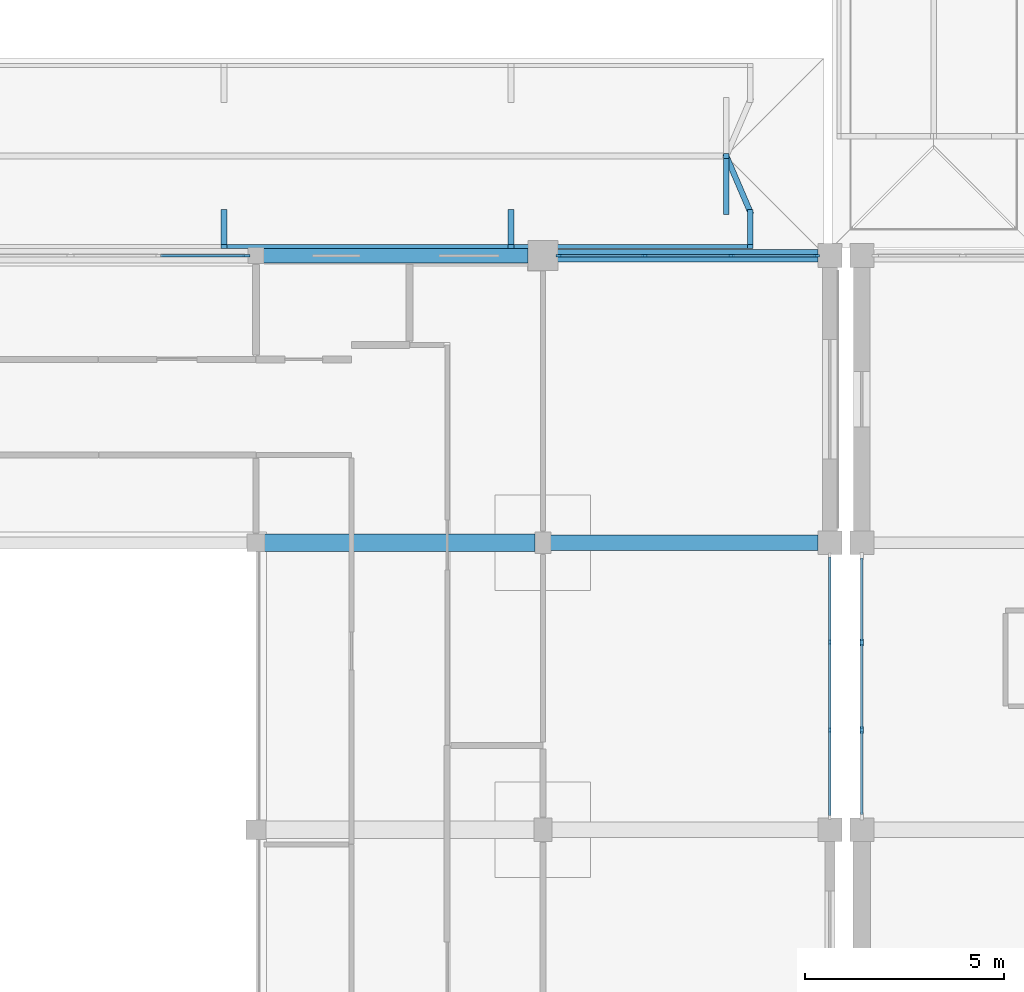
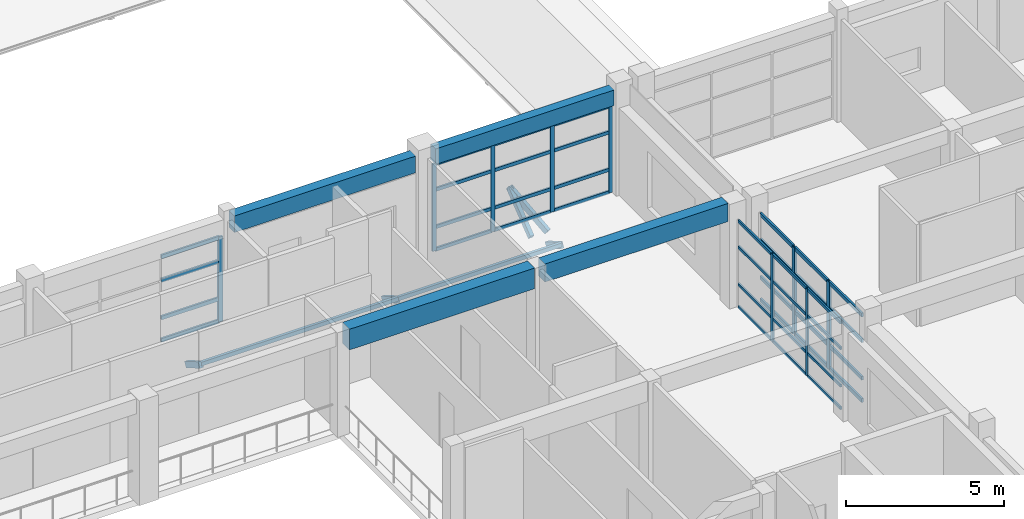
# One storey, part 20 of 110: 56 members, 4 beams, 4 elements without a shape of their own.
"""IFC4 building model written with IfcOpenShell, lengths in metres."""

from ifc_helpers import new_model, si_unit, direction, frame, origin, origin_2d, place, context, subcontext, project, spatial, rectangle, hollow_rectangle, extrude, material, material_profile, profile_set, type_object, element, aggregate, save


model = new_model("IFC4")

# Units and contexts
model_context = context("Model", 3, precision=1e-05, world=origin(), true_north=direction((0.0, 1.0)))
body_context = subcontext(model_context, "Body", "Model", "MODEL_VIEW")
ifc_project = project(units=[si_unit("LENGTHUNIT", "METRE"), si_unit("AREAUNIT", "SQUARE_METRE"), si_unit("VOLUMEUNIT", "CUBIC_METRE"), si_unit("PLANEANGLEUNIT", "RADIAN"), si_unit("MASSUNIT", "GRAM", prefix="KILO")], contexts=[model_context])

# Site, building, storey
site_placement = place(None, origin())
site = spatial("IfcSite", under=ifc_project, at=site_placement, CompositionType="ELEMENT")
building_placement = place(site_placement, origin())
building = spatial("IfcBuilding", under=site, at=building_placement, Name="Steenspoor Specialist Clinic", CompositionType="ELEMENT")
storey_placement = place(building_placement, frame((0.0, 0.0, 4.800048828125)))
storey = spatial("IfcBuildingStorey", under=building, at=storey_placement, Name="L01", CompositionType="ELEMENT", Elevation=4.800048828125)

# Beams
ifc_material_1 = material(Name="Concrete C35/45", Category="concrete")
ifc_material_profile_1 = material_profile(ifc_material_1, rectangle(XDim=0.39990234375, YDim=0.699951171875, at=origin_2d()), Name="RC-BM-400X700")
ifc_profile_set_1 = profile_set([ifc_material_profile_1], Name="Concrete C35/45")
beam_type_1 = type_object("IfcBeamType", Name="BM-RC-400X700", PredefinedType="BEAM", material=ifc_profile_set_1)
beam_1_placement = place(storey_placement, frame((110.195068359375, 34.64990234375, 3.68505859375), z_axis=(1.0, 0.0, 0.0), x_axis=(0.0, 1.0, 0.0)))
element("IfcBeam", 1, at=beam_1_placement, inside=storey, type_object=beam_type_1, Name="BM-V1-L01-X0143", PredefinedType="BEAM", context=body_context, shape_type="SweptSolid", body=[
    extrude(rectangle(XDim=0.39990234375, YDim=0.699951171875, at=origin_2d()), origin(), (0.0, 0.0, 1.0), 6.7099609375),
])
ifc_material_profile_2 = material_profile(ifc_material_1, rectangle(XDim=0.449951171875, YDim=0.800048828125, at=origin_2d()), Name="RC-BM-450X800")
ifc_profile_set_2 = profile_set([ifc_material_profile_2], Name="Concrete C35/45")
beam_type_2 = type_object("IfcBeamType", Name="BM-RC-450X800", PredefinedType="BEAM", material=ifc_profile_set_2)
beam_2_placement = place(storey_placement, frame((103.02001953125, 34.64990234375, 3.635009765625), z_axis=(1.0, 0.0, 0.0), x_axis=(0.0, 1.0, 0.0)))
element("IfcBeam", 2, at=beam_2_placement, inside=storey, type_object=beam_type_2, Name="BM-V1-L01-X0142", PredefinedType="BEAM", context=body_context, shape_type="SweptSolid", body=[
    extrude(rectangle(XDim=0.449951171875, YDim=0.800048828125, at=origin_2d()), origin(), (0.0, 0.0, 1.0), 6.784912109375),
])

# Curtain wall, members
ifc_material_2 = material(Name="Thermally broken aluminium and low-emissivity glass", Category="aluminium")
curtain_wall_type_1 = type_object("IfcCurtainWallType", Name="CW-L00-660X415", PredefinedType="USERDEFINED", material=ifc_material_2)
curtain_wall_1_placement = place(storey_placement, origin())
curtain_wall_1 = element("IfcCurtainWall", 3, at=curtain_wall_1_placement, inside=storey, type_object=curtain_wall_type_1, Name="Unitised Curtain Wall CW-V1-L01-028", ObjectType="UNITISED GLAZING", PredefinedType="USERDEFINED")
ifc_material_3 = material(Name="Thermally broken aluminium 6063-T6", Category="aluminium")
ifc_material_profile_3 = material_profile(ifc_material_3, rectangle(XDim=0.06005859375, YDim=0.135009765625, at=origin_2d()), Name="CWM-60X135")
ifc_profile_set_3 = profile_set([ifc_material_profile_3], Name="Thermally broken aluminium 6063-T6")
member_type_1 = type_object("IfcMemberType", Name="CW-MULL-60X135", PredefinedType="MULLION", material=ifc_profile_set_3)
member_1_placement = place(storey_placement, frame((117.199951171875, 32.14990234375, 0.0), z_axis=(0.0, 0.0, 1.0), x_axis=(1.0, 0.0, 0.0)))
member_1 = element("IfcMember", 4, at=member_1_placement, type_object=member_type_1, Name="CW-04 mullion 2", PredefinedType="MULLION", context=body_context, shape_type="SweptSolid", body=[
    extrude(rectangle(XDim=0.06005859375, YDim=0.135009765625, at=origin_2d()), origin(), (0.0, 0.0, 1.0), 3.3798828125),
])
member_2_placement = place(storey_placement, frame((117.199951171875, 29.949951171875, 0.0), z_axis=(0.0, 0.0, 1.0), x_axis=(1.0, 0.0, 0.0)))
member_2 = element("IfcMember", 5, at=member_2_placement, type_object=member_type_1, Name="CW-04 mullion 3", PredefinedType="MULLION", context=body_context, shape_type="SweptSolid", body=[
    extrude(rectangle(XDim=0.06005859375, YDim=0.135009765625, at=origin_2d()), origin(), (0.0, 0.0, 1.0), 3.3798828125),
])

curtain_wall_type_2 = type_object("IfcCurtainWallType", Name="CW-HALL-480X820", PredefinedType="USERDEFINED", material=ifc_material_2)
curtain_wall_2_placement = place(storey_placement, origin())
curtain_wall_2 = element("IfcCurtainWall", 6, at=curtain_wall_2_placement, inside=storey, type_object=curtain_wall_type_2, Name="Unitised Curtain Wall CW-V1-L01-027", ObjectType="UNITISED GLAZING", PredefinedType="USERDEFINED")
ifc_material_profile_4 = material_profile(ifc_material_3, rectangle(XDim=0.06494140625, YDim=0.14990234375, at=origin_2d()), Name="CWM-65X150")
ifc_profile_set_4 = profile_set([ifc_material_profile_4], Name="Thermally broken aluminium 6063-T6")
member_type_2 = type_object("IfcMemberType", Name="CW-MULL-65X150", PredefinedType="MULLION", material=ifc_profile_set_4)
member_3_placement = place(storey_placement, frame((110.407470703125, 41.85009765625, 0.0), z_axis=(0.0, 0.0, 1.0), x_axis=(0.0, 1.0, 0.0)))
member_3 = element("IfcMember", 7, at=member_3_placement, type_object=member_type_2, Name="CW-03 mullion 1", PredefinedType="MULLION", context=body_context, shape_type="SweptSolid", body=[
    extrude(rectangle(XDim=0.06494140625, YDim=0.14990234375, at=origin_2d()), origin(), (0.0, 0.0, 1.0), 3.3798828125),
])
member_4_placement = place(storey_placement, frame((112.550048828125, 41.85009765625, 0.0), z_axis=(0.0, 0.0, 1.0), x_axis=(0.0, 1.0, 0.0)))
member_4 = element("IfcMember", 8, at=member_4_placement, type_object=member_type_2, Name="CW-03 mullion 2", PredefinedType="MULLION", context=body_context, shape_type="SweptSolid", body=[
    extrude(rectangle(XDim=0.06494140625, YDim=0.14990234375, at=origin_2d()), origin(), (0.0, 0.0, 1.0), 3.3798828125),
])
member_5_placement = place(storey_placement, frame((114.72509765625, 41.85009765625, 0.0), z_axis=(0.0, 0.0, 1.0), x_axis=(0.0, 1.0, 0.0)))
member_5 = element("IfcMember", 9, at=member_5_placement, type_object=member_type_2, Name="CW-03 mullion 3", PredefinedType="MULLION", context=body_context, shape_type="SweptSolid", body=[
    extrude(rectangle(XDim=0.06494140625, YDim=0.14990234375, at=origin_2d()), origin(), (0.0, 0.0, 1.0), 3.3798828125),
])
member_6_placement = place(storey_placement, frame((116.867431640625, 41.85009765625, 0.0), z_axis=(0.0, 0.0, 1.0), x_axis=(0.0, 1.0, 0.0)))
member_6 = element("IfcMember", 10, at=member_6_placement, type_object=member_type_2, Name="CW-03 mullion 4", PredefinedType="MULLION", context=body_context, shape_type="SweptSolid", body=[
    extrude(rectangle(XDim=0.06494140625, YDim=0.14990234375, at=origin_2d()), origin(), (0.0, 0.0, 1.0), 3.3798828125),
])

# Curtain wall, member
curtain_wall_type_3 = type_object("IfcCurtainWallType", Name="CW-HALL-650X820", PredefinedType="USERDEFINED", material=ifc_material_2)
curtain_wall_3_placement = place(storey_placement, origin())
curtain_wall_3 = element("IfcCurtainWall", 11, at=curtain_wall_3_placement, inside=storey, type_object=curtain_wall_type_3, Name="Unitised Curtain Wall CW-V1-L01-026", ObjectType="UNITISED GLAZING", PredefinedType="USERDEFINED")
ifc_material_profile_5 = material_profile(ifc_material_3, rectangle(XDim=0.070068359375, YDim=0.1650390625, at=origin_2d()), Name="CWM-70X165")
ifc_profile_set_5 = profile_set([ifc_material_profile_5], Name="Thermally broken aluminium 6063-T6")
member_type_3 = type_object("IfcMemberType", Name="CW-MULL-70X165", PredefinedType="MULLION", material=ifc_profile_set_5)
member_7_placement = place(storey_placement, frame((102.56494140625, 41.85009765625, 0.0), z_axis=(0.0, 0.0, 1.0), x_axis=(0.0, 1.0, 0.0)))
member_7 = element("IfcMember", 12, at=member_7_placement, type_object=member_type_3, Name="CW-02 mullion 4", PredefinedType="MULLION", context=body_context, shape_type="SweptSolid", body=[
    extrude(rectangle(XDim=0.070068359375, YDim=0.1650390625, at=origin_2d()), origin(), (0.0, 0.0, 1.0), 3.300048828125),
])

# Curtain wall, members
curtain_wall_type_4 = type_object("IfcCurtainWallType", Name="CW-L00-360X415", PredefinedType="USERDEFINED", material=ifc_material_2)
curtain_wall_4_placement = place(storey_placement, origin())
curtain_wall_4 = element("IfcCurtainWall", 13, at=curtain_wall_4_placement, inside=storey, type_object=curtain_wall_type_4, Name="Unitised Curtain Wall CW-V2-L01-031", ObjectType="UNITISED GLAZING", PredefinedType="USERDEFINED")
ifc_material_profile_6 = material_profile(ifc_material_3, rectangle(XDim=0.080078125, YDim=0.179931640625, at=origin_2d()), Name="CWM-80X180")
ifc_profile_set_6 = profile_set([ifc_material_profile_6], Name="Thermally broken aluminium 6063-T6")
member_type_4 = type_object("IfcMemberType", Name="CW-MULL-80X180", PredefinedType="MULLION", material=ifc_profile_set_6)
member_8_placement = place(storey_placement, frame((118.0, 29.949951171875, 0.0), z_axis=(0.0, 0.0, 1.0), x_axis=(-1.0, 0.0, 0.0)))
member_8 = element("IfcMember", 14, at=member_8_placement, type_object=member_type_4, Name="CW-07 mullion 2", PredefinedType="MULLION", context=body_context, shape_type="SweptSolid", body=[
    extrude(rectangle(XDim=0.080078125, YDim=0.179931640625, at=origin_2d()), origin(), (0.0, 0.0, 1.0), 3.3798828125),
])
member_9_placement = place(storey_placement, frame((118.0, 32.14990234375, 0.0), z_axis=(0.0, 0.0, 1.0), x_axis=(-1.0, 0.0, 0.0)))
member_9 = element("IfcMember", 15, at=member_9_placement, type_object=member_type_4, Name="CW-07 mullion 3", PredefinedType="MULLION", context=body_context, shape_type="SweptSolid", body=[
    extrude(rectangle(XDim=0.080078125, YDim=0.179931640625, at=origin_2d()), origin(), (0.0, 0.0, 1.0), 3.3798828125),
])

# Member
ifc_material_profile_7 = material_profile(ifc_material_3, rectangle(XDim=0.06005859375, YDim=0.114990234375, at=origin_2d()), Name="CWT-60X115")
ifc_profile_set_7 = profile_set([ifc_material_profile_7], Name="Thermally broken aluminium 6063-T6")
member_type_5 = type_object("IfcMemberType", Name="CW-TRAN-60X115", PredefinedType="USERDEFINED", material=ifc_profile_set_7)
member_10_placement = place(storey_placement, frame((117.199951171875, 34.2900390625, 0.030029296875), z_axis=(0.0, -1.0, 0.0), x_axis=(1.0, 0.0, 0.0)))
member_10 = element("IfcMember", 16, at=member_10_placement, type_object=member_type_5, Name="CW-04 transom 1.1", ObjectType="TRANSOM", PredefinedType="USERDEFINED", context=body_context, shape_type="SweptSolid", body=[
    extrude(rectangle(XDim=0.06005859375, YDim=0.114990234375, at=origin_2d()), origin(), (0.0, 0.0, 1.0), 2.110107421875),
])

member_11_placement = place(storey_placement, frame((117.199951171875, 34.2900390625, 0.89990234375), z_axis=(0.0, -1.0, 0.0), x_axis=(1.0, 0.0, 0.0)))
member_11 = element("IfcMember", 17, at=member_11_placement, type_object=member_type_5, Name="CW-04 transom 1.2", ObjectType="TRANSOM", PredefinedType="USERDEFINED", context=body_context, shape_type="SweptSolid", body=[
    extrude(rectangle(XDim=0.06005859375, YDim=0.114990234375, at=origin_2d()), origin(), (0.0, 0.0, 1.0), 2.110107421875),
])

member_12_placement = place(storey_placement, frame((117.199951171875, 34.2900390625, 2.349853515625), z_axis=(0.0, -1.0, 0.0), x_axis=(1.0, 0.0, 0.0)))
member_12 = element("IfcMember", 18, at=member_12_placement, type_object=member_type_5, Name="CW-04 transom 1.3", ObjectType="TRANSOM", PredefinedType="USERDEFINED", context=body_context, shape_type="SweptSolid", body=[
    extrude(rectangle(XDim=0.06005859375, YDim=0.114990234375, at=origin_2d()), origin(), (0.0, 0.0, 1.0), 2.110107421875),
])

member_13_placement = place(storey_placement, frame((117.199951171875, 34.2900390625, 3.349853515625), z_axis=(0.0, -1.0, 0.0), x_axis=(1.0, 0.0, 0.0)))
member_13 = element("IfcMember", 19, at=member_13_placement, type_object=member_type_5, Name="CW-04 transom 1.4", ObjectType="TRANSOM", PredefinedType="USERDEFINED", context=body_context, shape_type="SweptSolid", body=[
    extrude(rectangle(XDim=0.06005859375, YDim=0.114990234375, at=origin_2d()), origin(), (0.0, 0.0, 1.0), 2.110107421875),
])

member_14_placement = place(storey_placement, frame((117.199951171875, 32.1201171875, 0.030029296875), z_axis=(0.0, -1.0, 0.0), x_axis=(1.0, 0.0, 0.0)))
member_14 = element("IfcMember", 20, at=member_14_placement, type_object=member_type_5, Name="CW-04 transom 2.1", ObjectType="TRANSOM", PredefinedType="USERDEFINED", context=body_context, shape_type="SweptSolid", body=[
    extrude(rectangle(XDim=0.06005859375, YDim=0.114990234375, at=origin_2d()), origin(), (0.0, 0.0, 1.0), 2.14013671875),
])

member_15_placement = place(storey_placement, frame((117.199951171875, 32.1201171875, 0.89990234375), z_axis=(0.0, -1.0, 0.0), x_axis=(1.0, 0.0, 0.0)))
member_15 = element("IfcMember", 21, at=member_15_placement, type_object=member_type_5, Name="CW-04 transom 2.2", ObjectType="TRANSOM", PredefinedType="USERDEFINED", context=body_context, shape_type="SweptSolid", body=[
    extrude(rectangle(XDim=0.06005859375, YDim=0.114990234375, at=origin_2d()), origin(), (0.0, 0.0, 1.0), 2.14013671875),
])

member_16_placement = place(storey_placement, frame((117.199951171875, 32.1201171875, 2.349853515625), z_axis=(0.0, -1.0, 0.0), x_axis=(1.0, 0.0, 0.0)))
member_16 = element("IfcMember", 22, at=member_16_placement, type_object=member_type_5, Name="CW-04 transom 2.3", ObjectType="TRANSOM", PredefinedType="USERDEFINED", context=body_context, shape_type="SweptSolid", body=[
    extrude(rectangle(XDim=0.06005859375, YDim=0.114990234375, at=origin_2d()), origin(), (0.0, 0.0, 1.0), 2.14013671875),
])

member_17_placement = place(storey_placement, frame((117.199951171875, 32.1201171875, 3.349853515625), z_axis=(0.0, -1.0, 0.0), x_axis=(1.0, 0.0, 0.0)))
member_17 = element("IfcMember", 23, at=member_17_placement, type_object=member_type_5, Name="CW-04 transom 2.4", ObjectType="TRANSOM", PredefinedType="USERDEFINED", context=body_context, shape_type="SweptSolid", body=[
    extrude(rectangle(XDim=0.06005859375, YDim=0.114990234375, at=origin_2d()), origin(), (0.0, 0.0, 1.0), 2.14013671875),
])

member_18_placement = place(storey_placement, frame((117.199951171875, 29.919921875, 0.030029296875), z_axis=(0.0, -1.0, 0.0), x_axis=(1.0, 0.0, 0.0)))
member_18 = element("IfcMember", 24, at=member_18_placement, type_object=member_type_5, Name="CW-04 transom 3.1", ObjectType="TRANSOM", PredefinedType="USERDEFINED", context=body_context, shape_type="SweptSolid", body=[
    extrude(rectangle(XDim=0.06005859375, YDim=0.114990234375, at=origin_2d()), origin(), (0.0, 0.0, 1.0), 2.10986328125),
])

member_19_placement = place(storey_placement, frame((117.199951171875, 29.919921875, 0.89990234375), z_axis=(0.0, -1.0, 0.0), x_axis=(1.0, 0.0, 0.0)))
member_19 = element("IfcMember", 25, at=member_19_placement, type_object=member_type_5, Name="CW-04 transom 3.2", ObjectType="TRANSOM", PredefinedType="USERDEFINED", context=body_context, shape_type="SweptSolid", body=[
    extrude(rectangle(XDim=0.06005859375, YDim=0.114990234375, at=origin_2d()), origin(), (0.0, 0.0, 1.0), 2.10986328125),
])

member_20_placement = place(storey_placement, frame((117.199951171875, 29.919921875, 2.349853515625), z_axis=(0.0, -1.0, 0.0), x_axis=(1.0, 0.0, 0.0)))
member_20 = element("IfcMember", 26, at=member_20_placement, type_object=member_type_5, Name="CW-04 transom 3.3", ObjectType="TRANSOM", PredefinedType="USERDEFINED", context=body_context, shape_type="SweptSolid", body=[
    extrude(rectangle(XDim=0.06005859375, YDim=0.114990234375, at=origin_2d()), origin(), (0.0, 0.0, 1.0), 2.10986328125),
])

member_21_placement = place(storey_placement, frame((117.199951171875, 29.919921875, 3.349853515625), z_axis=(0.0, -1.0, 0.0), x_axis=(1.0, 0.0, 0.0)))
member_21 = element("IfcMember", 27, at=member_21_placement, type_object=member_type_5, Name="CW-04 transom 3.4", ObjectType="TRANSOM", PredefinedType="USERDEFINED", context=body_context, shape_type="SweptSolid", body=[
    extrude(rectangle(XDim=0.06005859375, YDim=0.114990234375, at=origin_2d()), origin(), (0.0, 0.0, 1.0), 2.10986328125),
])

aggregate(curtain_wall_1, [member_1, member_2, member_10, member_11, member_12, member_13, member_14, member_15, member_16, member_17, member_18, member_19, member_20, member_21])

ifc_material_profile_8 = material_profile(ifc_material_3, rectangle(XDim=0.06494140625, YDim=0.1298828125, at=origin_2d()), Name="CWT-65X130")
ifc_profile_set_8 = profile_set([ifc_material_profile_8], Name="Thermally broken aluminium 6063-T6")
member_type_6 = type_object("IfcMemberType", Name="CW-TRAN-65X130", PredefinedType="USERDEFINED", material=ifc_profile_set_8)
member_22_placement = place(storey_placement, frame((110.43994140625, 41.85009765625, 0.032470703125), z_axis=(1.0, 0.0, 0.0), x_axis=(0.0, 1.0, 0.0)))
member_22 = element("IfcMember", 28, at=member_22_placement, type_object=member_type_6, Name="CW-03 transom 1.1", ObjectType="TRANSOM", PredefinedType="USERDEFINED", context=body_context, shape_type="SweptSolid", body=[
    extrude(rectangle(XDim=0.06494140625, YDim=0.1298828125, at=origin_2d()), origin(), (0.0, 0.0, 1.0), 2.07763671875),
])

member_23_placement = place(storey_placement, frame((110.43994140625, 41.85009765625, 0.89990234375), z_axis=(1.0, 0.0, 0.0), x_axis=(0.0, 1.0, 0.0)))
member_23 = element("IfcMember", 29, at=member_23_placement, type_object=member_type_6, Name="CW-03 transom 1.2", ObjectType="TRANSOM", PredefinedType="USERDEFINED", context=body_context, shape_type="SweptSolid", body=[
    extrude(rectangle(XDim=0.06494140625, YDim=0.1298828125, at=origin_2d()), origin(), (0.0, 0.0, 1.0), 2.07763671875),
])

member_24_placement = place(storey_placement, frame((110.43994140625, 41.85009765625, 2.349853515625), z_axis=(1.0, 0.0, 0.0), x_axis=(0.0, 1.0, 0.0)))
member_24 = element("IfcMember", 30, at=member_24_placement, type_object=member_type_6, Name="CW-03 transom 1.3", ObjectType="TRANSOM", PredefinedType="USERDEFINED", context=body_context, shape_type="SweptSolid", body=[
    extrude(rectangle(XDim=0.06494140625, YDim=0.1298828125, at=origin_2d()), origin(), (0.0, 0.0, 1.0), 2.07763671875),
])

member_25_placement = place(storey_placement, frame((110.43994140625, 41.85009765625, 3.347412109375), z_axis=(1.0, 0.0, 0.0), x_axis=(0.0, 1.0, 0.0)))
member_25 = element("IfcMember", 31, at=member_25_placement, type_object=member_type_6, Name="CW-03 transom 1.4", ObjectType="TRANSOM", PredefinedType="USERDEFINED", context=body_context, shape_type="SweptSolid", body=[
    extrude(rectangle(XDim=0.06494140625, YDim=0.1298828125, at=origin_2d()), origin(), (0.0, 0.0, 1.0), 2.07763671875),
])

member_26_placement = place(storey_placement, frame((112.58251953125, 41.85009765625, 0.032470703125), z_axis=(1.0, 0.0, 0.0), x_axis=(0.0, 1.0, 0.0)))
member_26 = element("IfcMember", 32, at=member_26_placement, type_object=member_type_6, Name="CW-03 transom 2.1", ObjectType="TRANSOM", PredefinedType="USERDEFINED", context=body_context, shape_type="SweptSolid", body=[
    extrude(rectangle(XDim=0.06494140625, YDim=0.1298828125, at=origin_2d()), origin(), (0.0, 0.0, 1.0), 2.10986328125),
])

member_27_placement = place(storey_placement, frame((112.58251953125, 41.85009765625, 0.89990234375), z_axis=(1.0, 0.0, 0.0), x_axis=(0.0, 1.0, 0.0)))
member_27 = element("IfcMember", 33, at=member_27_placement, type_object=member_type_6, Name="CW-03 transom 2.2", ObjectType="TRANSOM", PredefinedType="USERDEFINED", context=body_context, shape_type="SweptSolid", body=[
    extrude(rectangle(XDim=0.06494140625, YDim=0.1298828125, at=origin_2d()), origin(), (0.0, 0.0, 1.0), 2.10986328125),
])

member_28_placement = place(storey_placement, frame((112.58251953125, 41.85009765625, 2.349853515625), z_axis=(1.0, 0.0, 0.0), x_axis=(0.0, 1.0, 0.0)))
member_28 = element("IfcMember", 34, at=member_28_placement, type_object=member_type_6, Name="CW-03 transom 2.3", ObjectType="TRANSOM", PredefinedType="USERDEFINED", context=body_context, shape_type="SweptSolid", body=[
    extrude(rectangle(XDim=0.06494140625, YDim=0.1298828125, at=origin_2d()), origin(), (0.0, 0.0, 1.0), 2.10986328125),
])

member_29_placement = place(storey_placement, frame((112.58251953125, 41.85009765625, 3.347412109375), z_axis=(1.0, 0.0, 0.0), x_axis=(0.0, 1.0, 0.0)))
member_29 = element("IfcMember", 35, at=member_29_placement, type_object=member_type_6, Name="CW-03 transom 2.4", ObjectType="TRANSOM", PredefinedType="USERDEFINED", context=body_context, shape_type="SweptSolid", body=[
    extrude(rectangle(XDim=0.06494140625, YDim=0.1298828125, at=origin_2d()), origin(), (0.0, 0.0, 1.0), 2.10986328125),
])

member_30_placement = place(storey_placement, frame((114.757568359375, 41.85009765625, 0.032470703125), z_axis=(1.0, 0.0, 0.0), x_axis=(0.0, 1.0, 0.0)))
member_30 = element("IfcMember", 36, at=member_30_placement, type_object=member_type_6, Name="CW-03 transom 3.1", ObjectType="TRANSOM", PredefinedType="USERDEFINED", context=body_context, shape_type="SweptSolid", body=[
    extrude(rectangle(XDim=0.06494140625, YDim=0.1298828125, at=origin_2d()), origin(), (0.0, 0.0, 1.0), 2.077392578125),
])

member_31_placement = place(storey_placement, frame((114.757568359375, 41.85009765625, 0.89990234375), z_axis=(1.0, 0.0, 0.0), x_axis=(0.0, 1.0, 0.0)))
member_31 = element("IfcMember", 37, at=member_31_placement, type_object=member_type_6, Name="CW-03 transom 3.2", ObjectType="TRANSOM", PredefinedType="USERDEFINED", context=body_context, shape_type="SweptSolid", body=[
    extrude(rectangle(XDim=0.06494140625, YDim=0.1298828125, at=origin_2d()), origin(), (0.0, 0.0, 1.0), 2.077392578125),
])

member_32_placement = place(storey_placement, frame((114.757568359375, 41.85009765625, 2.349853515625), z_axis=(1.0, 0.0, 0.0), x_axis=(0.0, 1.0, 0.0)))
member_32 = element("IfcMember", 38, at=member_32_placement, type_object=member_type_6, Name="CW-03 transom 3.3", ObjectType="TRANSOM", PredefinedType="USERDEFINED", context=body_context, shape_type="SweptSolid", body=[
    extrude(rectangle(XDim=0.06494140625, YDim=0.1298828125, at=origin_2d()), origin(), (0.0, 0.0, 1.0), 2.077392578125),
])

member_33_placement = place(storey_placement, frame((114.757568359375, 41.85009765625, 3.347412109375), z_axis=(1.0, 0.0, 0.0), x_axis=(0.0, 1.0, 0.0)))
member_33 = element("IfcMember", 39, at=member_33_placement, type_object=member_type_6, Name="CW-03 transom 3.4", ObjectType="TRANSOM", PredefinedType="USERDEFINED", context=body_context, shape_type="SweptSolid", body=[
    extrude(rectangle(XDim=0.06494140625, YDim=0.1298828125, at=origin_2d()), origin(), (0.0, 0.0, 1.0), 2.077392578125),
])

aggregate(curtain_wall_2, [member_3, member_4, member_5, member_6, member_22, member_23, member_24, member_25, member_26, member_27, member_28, member_29, member_30, member_31, member_32, member_33])

ifc_material_profile_9 = material_profile(ifc_material_3, rectangle(XDim=0.070068359375, YDim=0.14501953125, at=origin_2d()), Name="CWT-70X145")
ifc_profile_set_9 = profile_set([ifc_material_profile_9], Name="Thermally broken aluminium 6063-T6")
member_type_7 = type_object("IfcMemberType", Name="CW-TRAN-70X145", PredefinedType="USERDEFINED", material=ifc_profile_set_9)
member_34_placement = place(storey_placement, frame((100.409912109375, 41.85009765625, 0.034912109375), z_axis=(1.0, 0.0, 0.0), x_axis=(0.0, 1.0, 0.0)))
member_34 = element("IfcMember", 40, at=member_34_placement, type_object=member_type_7, Name="CW-02 transom 3.1", ObjectType="TRANSOM", PredefinedType="USERDEFINED", context=body_context, shape_type="SweptSolid", body=[
    extrude(rectangle(XDim=0.070068359375, YDim=0.14501953125, at=origin_2d()), origin(), (0.0, 0.0, 1.0), 2.1201171875),
])

member_35_placement = place(storey_placement, frame((100.409912109375, 41.85009765625, 0.89990234375), z_axis=(1.0, 0.0, 0.0), x_axis=(0.0, 1.0, 0.0)))
member_35 = element("IfcMember", 41, at=member_35_placement, type_object=member_type_7, Name="CW-02 transom 3.2", ObjectType="TRANSOM", PredefinedType="USERDEFINED", context=body_context, shape_type="SweptSolid", body=[
    extrude(rectangle(XDim=0.070068359375, YDim=0.14501953125, at=origin_2d()), origin(), (0.0, 0.0, 1.0), 2.1201171875),
])

member_36_placement = place(storey_placement, frame((100.409912109375, 41.85009765625, 2.349853515625), z_axis=(1.0, 0.0, 0.0), x_axis=(0.0, 1.0, 0.0)))
member_36 = element("IfcMember", 42, at=member_36_placement, type_object=member_type_7, Name="CW-02 transom 3.3", ObjectType="TRANSOM", PredefinedType="USERDEFINED", context=body_context, shape_type="SweptSolid", body=[
    extrude(rectangle(XDim=0.070068359375, YDim=0.14501953125, at=origin_2d()), origin(), (0.0, 0.0, 1.0), 2.1201171875),
])

member_37_placement = place(storey_placement, frame((100.409912109375, 41.85009765625, 3.264892578125), z_axis=(1.0, 0.0, 0.0), x_axis=(0.0, 1.0, 0.0)))
member_37 = element("IfcMember", 43, at=member_37_placement, type_object=member_type_7, Name="CW-02 transom 3.4", ObjectType="TRANSOM", PredefinedType="USERDEFINED", context=body_context, shape_type="SweptSolid", body=[
    extrude(rectangle(XDim=0.070068359375, YDim=0.14501953125, at=origin_2d()), origin(), (0.0, 0.0, 1.0), 2.1201171875),
])

aggregate(curtain_wall_3, [member_7, member_34, member_35, member_36, member_37])

member_38_placement = place(storey_placement, frame((118.0, 27.830078125, 0.034912109375), z_axis=(0.0, 1.0, 0.0), x_axis=(-1.0, 0.0, 0.0)))
member_38 = element("IfcMember", 44, at=member_38_placement, type_object=member_type_7, Name="CW-07 transom 1.1", ObjectType="TRANSOM", PredefinedType="USERDEFINED", context=body_context, shape_type="SweptSolid", body=[
    extrude(rectangle(XDim=0.070068359375, YDim=0.14501953125, at=origin_2d()), origin(), (0.0, 0.0, 1.0), 2.079833984375),
])

member_39_placement = place(storey_placement, frame((118.0, 27.830078125, 0.89990234375), z_axis=(0.0, 1.0, 0.0), x_axis=(-1.0, 0.0, 0.0)))
member_39 = element("IfcMember", 45, at=member_39_placement, type_object=member_type_7, Name="CW-07 transom 1.2", ObjectType="TRANSOM", PredefinedType="USERDEFINED", context=body_context, shape_type="SweptSolid", body=[
    extrude(rectangle(XDim=0.070068359375, YDim=0.14501953125, at=origin_2d()), origin(), (0.0, 0.0, 1.0), 2.079833984375),
])

member_40_placement = place(storey_placement, frame((118.0, 27.830078125, 2.349853515625), z_axis=(0.0, 1.0, 0.0), x_axis=(-1.0, 0.0, 0.0)))
member_40 = element("IfcMember", 46, at=member_40_placement, type_object=member_type_7, Name="CW-07 transom 1.3", ObjectType="TRANSOM", PredefinedType="USERDEFINED", context=body_context, shape_type="SweptSolid", body=[
    extrude(rectangle(XDim=0.070068359375, YDim=0.14501953125, at=origin_2d()), origin(), (0.0, 0.0, 1.0), 2.079833984375),
])

member_41_placement = place(storey_placement, frame((118.0, 27.830078125, 3.344970703125), z_axis=(0.0, 1.0, 0.0), x_axis=(-1.0, 0.0, 0.0)))
member_41 = element("IfcMember", 47, at=member_41_placement, type_object=member_type_7, Name="CW-07 transom 1.4", ObjectType="TRANSOM", PredefinedType="USERDEFINED", context=body_context, shape_type="SweptSolid", body=[
    extrude(rectangle(XDim=0.070068359375, YDim=0.14501953125, at=origin_2d()), origin(), (0.0, 0.0, 1.0), 2.079833984375),
])

member_42_placement = place(storey_placement, frame((118.0, 29.989990234375, 0.034912109375), z_axis=(0.0, 1.0, 0.0), x_axis=(-1.0, 0.0, 0.0)))
member_42 = element("IfcMember", 48, at=member_42_placement, type_object=member_type_7, Name="CW-07 transom 2.1", ObjectType="TRANSOM", PredefinedType="USERDEFINED", context=body_context, shape_type="SweptSolid", body=[
    extrude(rectangle(XDim=0.070068359375, YDim=0.14501953125, at=origin_2d()), origin(), (0.0, 0.0, 1.0), 2.1201171875),
])

member_43_placement = place(storey_placement, frame((118.0, 29.989990234375, 0.89990234375), z_axis=(0.0, 1.0, 0.0), x_axis=(-1.0, 0.0, 0.0)))
member_43 = element("IfcMember", 49, at=member_43_placement, type_object=member_type_7, Name="CW-07 transom 2.2", ObjectType="TRANSOM", PredefinedType="USERDEFINED", context=body_context, shape_type="SweptSolid", body=[
    extrude(rectangle(XDim=0.070068359375, YDim=0.14501953125, at=origin_2d()), origin(), (0.0, 0.0, 1.0), 2.1201171875),
])

member_44_placement = place(storey_placement, frame((118.0, 29.989990234375, 2.349853515625), z_axis=(0.0, 1.0, 0.0), x_axis=(-1.0, 0.0, 0.0)))
member_44 = element("IfcMember", 50, at=member_44_placement, type_object=member_type_7, Name="CW-07 transom 2.3", ObjectType="TRANSOM", PredefinedType="USERDEFINED", context=body_context, shape_type="SweptSolid", body=[
    extrude(rectangle(XDim=0.070068359375, YDim=0.14501953125, at=origin_2d()), origin(), (0.0, 0.0, 1.0), 2.1201171875),
])

member_45_placement = place(storey_placement, frame((118.0, 29.989990234375, 3.344970703125), z_axis=(0.0, 1.0, 0.0), x_axis=(-1.0, 0.0, 0.0)))
member_45 = element("IfcMember", 51, at=member_45_placement, type_object=member_type_7, Name="CW-07 transom 2.4", ObjectType="TRANSOM", PredefinedType="USERDEFINED", context=body_context, shape_type="SweptSolid", body=[
    extrude(rectangle(XDim=0.070068359375, YDim=0.14501953125, at=origin_2d()), origin(), (0.0, 0.0, 1.0), 2.1201171875),
])

member_46_placement = place(storey_placement, frame((118.0, 32.18994140625, 0.034912109375), z_axis=(0.0, 1.0, 0.0), x_axis=(-1.0, 0.0, 0.0)))
member_46 = element("IfcMember", 52, at=member_46_placement, type_object=member_type_7, Name="CW-07 transom 3.1", ObjectType="TRANSOM", PredefinedType="USERDEFINED", context=body_context, shape_type="SweptSolid", body=[
    extrude(rectangle(XDim=0.070068359375, YDim=0.14501953125, at=origin_2d()), origin(), (0.0, 0.0, 1.0), 2.080078125),
])

member_47_placement = place(storey_placement, frame((118.0, 32.18994140625, 0.89990234375), z_axis=(0.0, 1.0, 0.0), x_axis=(-1.0, 0.0, 0.0)))
member_47 = element("IfcMember", 53, at=member_47_placement, type_object=member_type_7, Name="CW-07 transom 3.2", ObjectType="TRANSOM", PredefinedType="USERDEFINED", context=body_context, shape_type="SweptSolid", body=[
    extrude(rectangle(XDim=0.070068359375, YDim=0.14501953125, at=origin_2d()), origin(), (0.0, 0.0, 1.0), 2.080078125),
])

member_48_placement = place(storey_placement, frame((118.0, 32.18994140625, 2.349853515625), z_axis=(0.0, 1.0, 0.0), x_axis=(-1.0, 0.0, 0.0)))
member_48 = element("IfcMember", 54, at=member_48_placement, type_object=member_type_7, Name="CW-07 transom 3.3", ObjectType="TRANSOM", PredefinedType="USERDEFINED", context=body_context, shape_type="SweptSolid", body=[
    extrude(rectangle(XDim=0.070068359375, YDim=0.14501953125, at=origin_2d()), origin(), (0.0, 0.0, 1.0), 2.080078125),
])

member_49_placement = place(storey_placement, frame((118.0, 32.18994140625, 3.344970703125), z_axis=(0.0, 1.0, 0.0), x_axis=(-1.0, 0.0, 0.0)))
member_49 = element("IfcMember", 55, at=member_49_placement, type_object=member_type_7, Name="CW-07 transom 3.4", ObjectType="TRANSOM", PredefinedType="USERDEFINED", context=body_context, shape_type="SweptSolid", body=[
    extrude(rectangle(XDim=0.070068359375, YDim=0.14501953125, at=origin_2d()), origin(), (0.0, 0.0, 1.0), 2.080078125),
])

aggregate(curtain_wall_4, [member_8, member_9, member_38, member_39, member_40, member_41, member_42, member_43, member_44, member_45, member_46, member_47, member_48, member_49])

# Members
ifc_material_4 = material(Name="Steel A500 Grade C", Category="steel")
ifc_material_profile_10 = material_profile(ifc_material_4, hollow_rectangle(XDim=0.1015625, YDim=0.15234375, WallThickness=0.005859375, at=origin_2d()), Name="HSS152X102X6.4")
ifc_profile_set_10 = profile_set([ifc_material_profile_10], Name="Steel A500 Grade C")
member_type_8 = type_object("IfcMemberType", Name="MEM-PURLIN-H152", PredefinedType="PURLIN", material=ifc_profile_set_10)
member_50_placement = place(storey_placement, frame((102.0, 42.080078125, -1.571533203125), z_axis=(1.0, 0.0, 0.0), x_axis=(0.0, 1.0, 0.0)))
element("IfcMember", 56, at=member_50_placement, inside=storey, type_object=member_type_8, Name="Walkway Fascia WK5 606", PredefinedType="PURLIN", context=body_context, shape_type="SweptSolid", body=[
    extrude(hollow_rectangle(XDim=0.1015625, YDim=0.15234375, WallThickness=0.005859375, at=origin_2d()), origin(), (0.0, 0.0, 1.0), 7.199951171875),
])
member_51_placement = place(storey_placement, frame((109.199951171875, 42.080078125, -1.571533203125), z_axis=(1.0, 0.0, 0.0), x_axis=(0.0, 1.0, 0.0)))
element("IfcMember", 57, at=member_51_placement, inside=storey, type_object=member_type_8, Name="Walkway Fascia WK5 607", PredefinedType="PURLIN", context=body_context, shape_type="SweptSolid", body=[
    extrude(hollow_rectangle(XDim=0.1015625, YDim=0.15234375, WallThickness=0.005859375, at=origin_2d()), origin(), (0.0, 0.0, 1.0), 6.0),
])
ifc_material_5 = material(Name="Glulam GL28h", Category="wood")
ifc_material_profile_11 = material_profile(ifc_material_5, rectangle(XDim=0.139892578125, YDim=0.219970703125, at=origin_2d()), Name="GL28H-140X220")
ifc_profile_set_11 = profile_set([ifc_material_profile_11], Name="Glulam GL28h")
member_type_9 = type_object("IfcMemberType", Name="MEM-RAFTER-GL220", PredefinedType="RAFTER", material=ifc_profile_set_11)
for number, where, z_axis, x_axis, name in (
    (58, (102.0, 42.949951171875, -2.114990234375), (0.0, -0.865930570761, 0.500164219654), (1.0, 0.0, 0.0), "Walkway Eave Outrigger WK5 439"),
    (59, (109.199951171875, 42.949951171875, -2.114990234375), (0.0, -0.865930570761, 0.500164219654), (1.0, 0.0, 0.0), "Walkway Eave Outrigger WK5 441"),
    (60, (115.199951171875, 42.949951171875, -2.114990234375), (0.0, -0.865930570761, 0.500164219654), (1.0, 0.0, 0.0), "Walkway Eave Outrigger WK5 443"),
):
    element("IfcMember", number, at=place(storey_placement, frame(where, z_axis=z_axis, x_axis=x_axis)), inside=storey, type_object=member_type_9, Name=name, PredefinedType="RAFTER", context=body_context, shape_type="SweptSolid", body=[
        extrude(rectangle(XDim=0.139892578125, YDim=0.219970703125, at=origin_2d()), origin(), (0.0, 0.0, 1.0), 1.004638671875),
    ])
member_52_placement = place(storey_placement, frame((114.60009765625, 42.949951171875, -1.614990234375), z_axis=(0.0, 0.787788987788, 0.615945217304), x_axis=(-1.0, 0.0, 0.0)))
element("IfcMember", 61, at=member_52_placement, inside=storey, type_object=member_type_9, Name="Walkway Rafter WK5", PredefinedType="RAFTER", context=body_context, shape_type="SweptSolid", body=[
    extrude(rectangle(XDim=0.139892578125, YDim=0.219970703125, at=origin_2d()), origin(), (0.0, 0.0, 1.0), 1.77734375),
])
member_53_placement = place(storey_placement, frame((115.199951171875, 42.949951171875, -1.614990234375), z_axis=(-0.319783841648, 0.746422601485, 0.583602257203), x_axis=(-0.919194764162, -0.393803232005, 0.0)))
element("IfcMember", 62, at=member_53_placement, inside=storey, type_object=member_type_9, Name="Walkway Hip Rafter WK5", PredefinedType="RAFTER", context=body_context, shape_type="SweptSolid", body=[
    extrude(rectangle(XDim=0.139892578125, YDim=0.219970703125, at=origin_2d()), origin(), (0.0, 0.0, 1.0), 1.875732421875),
])

# Beams
ifc_material_profile_12 = material_profile(ifc_material_1, rectangle(XDim=0.320068359375, YDim=0.60009765625, at=origin_2d()), Name="RC-SP-320X600")
ifc_profile_set_12 = profile_set([ifc_material_profile_12], Name="Concrete C35/45")
beam_type_3 = type_object("IfcBeamType", Name="SP-RC-320X600", PredefinedType="SPANDREL", material=ifc_profile_set_12)
beam_3_placement = place(storey_placement, frame((110.3701171875, 41.85009765625, 3.73486328125), z_axis=(1.0, 0.0, 0.0), x_axis=(0.0, 1.0, 0.0)))
element("IfcBeam", 63, at=beam_3_placement, inside=storey, type_object=beam_type_3, Name="BM-V1-L01-X0153", PredefinedType="SPANDREL", context=body_context, shape_type="SweptSolid", body=[
    extrude(rectangle(XDim=0.320068359375, YDim=0.60009765625, at=origin_2d()), origin(), (0.0, 0.0, 1.0), 6.534912109375),
])
ifc_material_profile_13 = material_profile(ifc_material_1, rectangle(XDim=0.360107421875, YDim=0.639892578125, at=origin_2d()), Name="RC-SP-360X640")
ifc_profile_set_13 = profile_set([ifc_material_profile_13], Name="Concrete C35/45")
beam_type_4 = type_object("IfcBeamType", Name="SP-RC-360X640", PredefinedType="SPANDREL", material=ifc_profile_set_13)
beam_4_placement = place(storey_placement, frame((102.9951171875, 41.85009765625, 3.71484375), z_axis=(1.0, 0.0, 0.0), x_axis=(0.0, 1.0, 0.0)))
element("IfcBeam", 64, at=beam_4_placement, inside=storey, type_object=beam_type_4, Name="BM-V1-L01-X0152", PredefinedType="SPANDREL", context=body_context, shape_type="SweptSolid", body=[
    extrude(rectangle(XDim=0.360107421875, YDim=0.639892578125, at=origin_2d()), origin(), (0.0, 0.0, 1.0), 6.634765625),
])

save(model, "model.ifc")
